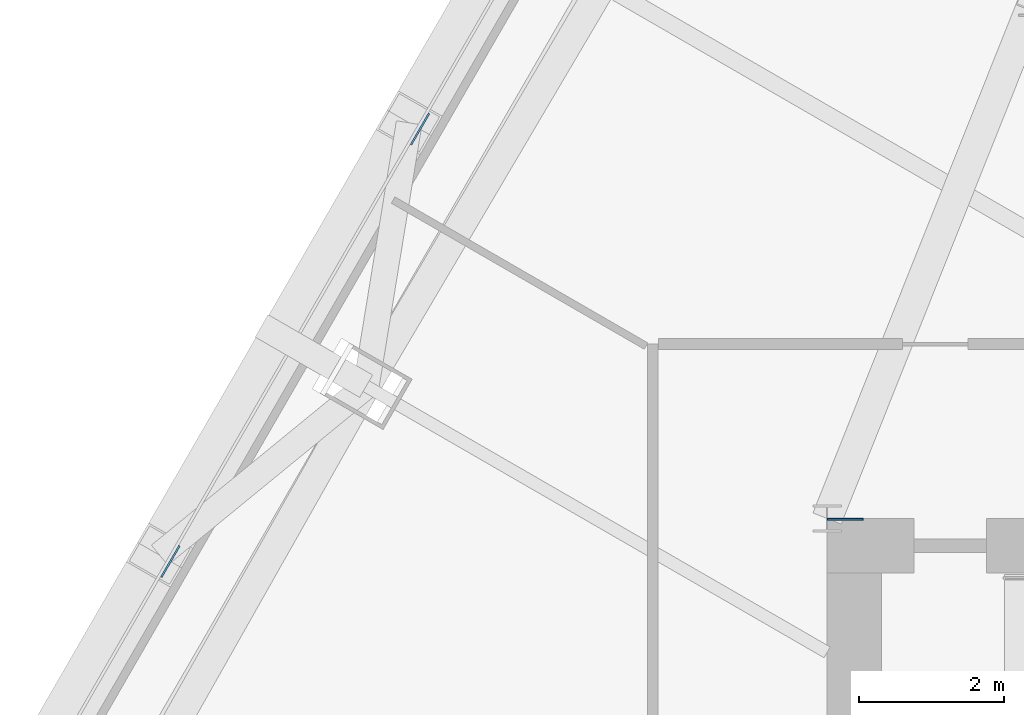
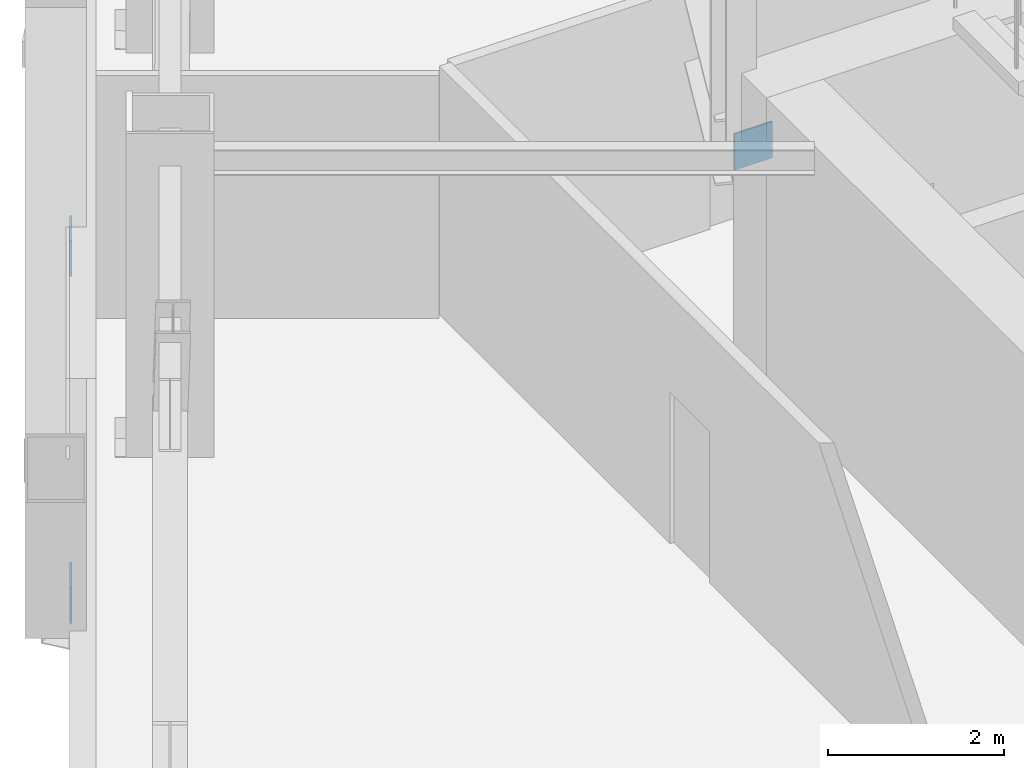
# One storey, part 12 of 16: 3 discrete accessories.
"""IFC4 building model written with IfcOpenShell, lengths in metres."""

from ifc_helpers import new_model, si_unit, direction, frame, origin, origin_2d, place, context, subcontext, project, spatial, rectangle, extrude, material, layer, layer_set, type_object, element, save


model = new_model("IFC4")

# Units and contexts
model_context = context("Model", 3, precision=1e-05, world=origin(), true_north=direction((0.0, 1.0)))
body_context = subcontext(model_context, "Body", "Model", "MODEL_VIEW")
ifc_project = project(units=[si_unit("LENGTHUNIT", "METRE"), si_unit("AREAUNIT", "SQUARE_METRE"), si_unit("VOLUMEUNIT", "CUBIC_METRE"), si_unit("PLANEANGLEUNIT", "RADIAN"), si_unit("MASSUNIT", "GRAM", prefix="KILO")], contexts=[model_context])

# Site, building, storey
site_placement = place(None, origin())
site = spatial("IfcSite", under=ifc_project, at=site_placement, CompositionType="ELEMENT")
building_placement = place(site_placement, origin())
building = spatial("IfcBuilding", under=site, at=building_placement, Name="Firuza Gate Tower and Library", CompositionType="ELEMENT")
storey_placement = place(building_placement, frame((0.0, 0.0, 247.60009765625)))
storey = spatial("IfcBuildingStorey", under=building, at=storey_placement, Name="L58", CompositionType="ELEMENT", Elevation=247.60009765625)

# Discrete accessories
ifc_material = material(Name="Steel S355", Category="steel")
ifc_layer = layer(ifc_material, 0.02490234375)
ifc_layer_set = layer_set([ifc_layer], Name="Cast-in anchor plate 500x500x25 Steel S355")
discrete_accessory_type = type_object("IfcDiscreteAccessoryType", Name="Cast-in anchor plate 500x500x25 Steel S355", PredefinedType="BRACKET", material=ifc_layer_set)
for number, where, z_axis, x_axis, name in (
    (1, (60.895751953125, 87.1103515625, 0.0), (0.0, 0.0, 1.0), (-0.499999984885, -0.866025412511, 0.0), "Cast-in anchor plate"),
    (2, (57.460205078125, 81.159423828125, 0.0), (0.0, 0.0, 1.0), (-0.499999984885, -0.866025412511, 0.0), "Cast-in anchor plate"),
    (3, (66.75, 81.737548828125, 2.60595703125), (0.0, 0.0, 1.0), (1.0, 0.0, 0.0), "Cast-in anchor plate"),
):
    element("IfcDiscreteAccessory", number, at=place(storey_placement, frame(where, z_axis=z_axis, x_axis=x_axis)), inside=storey, type_object=discrete_accessory_type, Name=name, PredefinedType="BRACKET", context=body_context, shape_type="SweptSolid", body=[
        extrude(rectangle(XDim=0.5, YDim=0.02490234375, at=origin_2d()), origin(), (0.0, 0.0, 1.0), 0.5),
    ])

save(model, "model.ifc")
